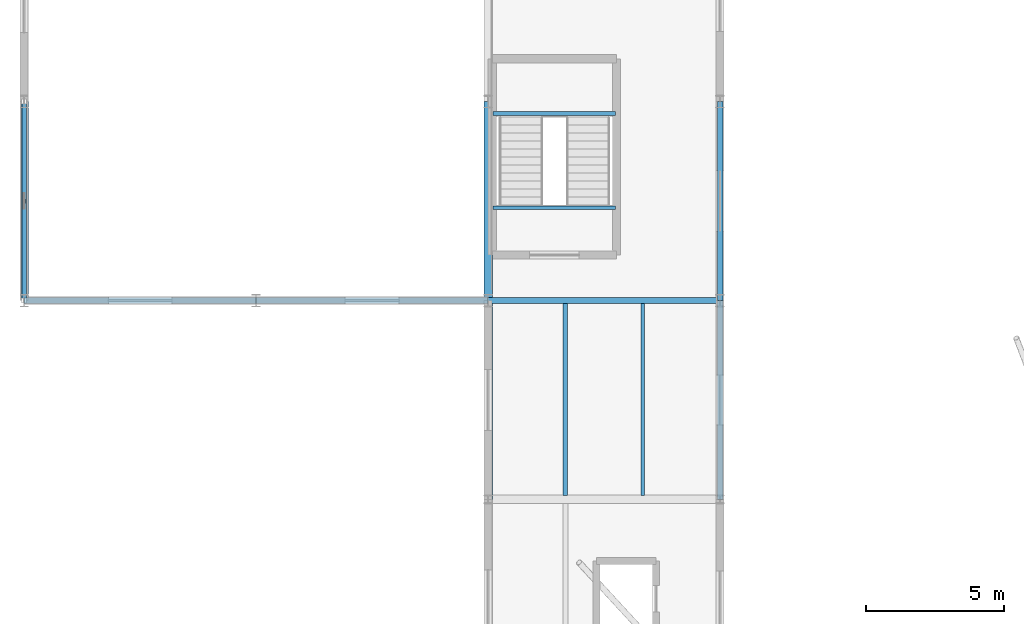
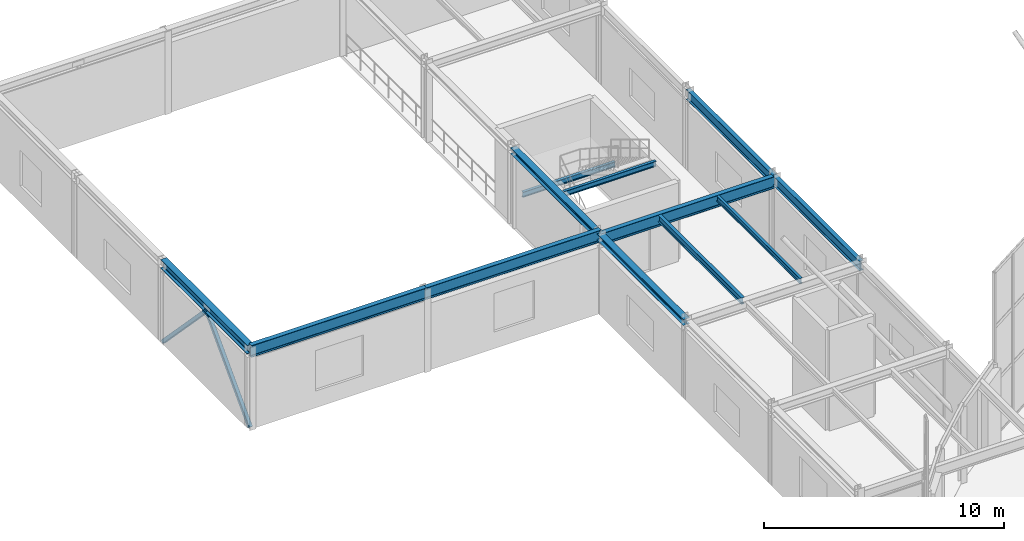
# One storey, part 35 of 109: 12 beams, 2 members.
"""IFC4 building model written with IfcOpenShell, lengths in metres."""

from ifc_helpers import new_model, si_unit, derived_unit, direction, frame, origin, origin_2d, place, context, subcontext, project, spatial, hollow_rectangle, i_section, extrude, material, material_profile, profile_set, type_object, element, save


model = new_model("IFC4")

# Units and contexts
model_context = context("Model", 3, precision=1e-05, world=origin(), true_north=direction((0.0, 1.0)))
body_context = subcontext(model_context, "Body", "Model", "MODEL_VIEW")
ifc_project = project(units=[si_unit("LENGTHUNIT", "METRE"), si_unit("AREAUNIT", "SQUARE_METRE"), si_unit("VOLUMEUNIT", "CUBIC_METRE"), si_unit("PLANEANGLEUNIT", "RADIAN"), si_unit("MASSUNIT", "GRAM", prefix="KILO"), derived_unit("THERMALTRANSMITTANCEUNIT", [(si_unit("MASSUNIT", "GRAM", prefix="KILO"), 1), (si_unit("TIMEUNIT", "SECOND"), -3), (si_unit("THERMODYNAMICTEMPERATUREUNIT", "KELVIN"), -1)])], contexts=[model_context])

# Site, building, storey
site_placement = place(None, origin())
site = spatial("IfcSite", under=ifc_project, at=site_placement, CompositionType="ELEMENT")
building_placement = place(site_placement, origin())
building = spatial("IfcBuilding", under=site, at=building_placement, Name="Kharveza Railside Sports Centre", CompositionType="ELEMENT")
storey_placement = place(building_placement, frame((0.0, 0.0, 4.5)))
storey = spatial("IfcBuildingStorey", under=building, at=storey_placement, Name="L01", CompositionType="ELEMENT", Elevation=4.5)

# Beams
ifc_material = material(Name="Steel S355J2", Category="steel")
ifc_material_profile_1 = material_profile(ifc_material, i_section(OverallWidth=0.219970703125, OverallDepth=0.60009765625, WebThickness=0.011962890625, FlangeThickness=0.01904296875, FilletRadius=0.02392578125, at=origin_2d()), Name="IPE 600")
ifc_profile_set_1 = profile_set([ifc_material_profile_1], Name="Steel S355J2")
beam_type_1 = type_object("IfcBeamType", Name="BM-G01", PredefinedType="T_BEAM", material=ifc_profile_set_1)
beam_1_placement = place(storey_placement, frame((0.0, 86.39990234375, 3.89990234375), z_axis=(1.0, 0.0, 0.0), x_axis=(0.0, 1.0, 0.0)))
element("IfcBeam", 1, at=beam_1_placement, inside=storey, type_object=beam_type_1, Name="BM-EW-L01-B01-X0-Y864", PredefinedType="T_BEAM", context=body_context, shape_type="SweptSolid", body=[
    extrude(i_section(OverallWidth=0.219970703125, OverallDepth=0.60009765625, WebThickness=0.011962890625, FlangeThickness=0.01904296875, FilletRadius=0.02392578125, at=origin_2d()), origin(), (0.0, 0.0, 1.0), 8.39990234375),
])
beam_2_placement = place(storey_placement, frame((8.39990234375, 86.39990234375, 3.89990234375), z_axis=(1.0, 0.0, 0.0), x_axis=(0.0, 1.0, 0.0)))
element("IfcBeam", 2, at=beam_2_placement, inside=storey, type_object=beam_type_1, Name="BM-EW-L01-B01-X84-Y864", PredefinedType="T_BEAM", context=body_context, shape_type="SweptSolid", body=[
    extrude(i_section(OverallWidth=0.219970703125, OverallDepth=0.60009765625, WebThickness=0.011962890625, FlangeThickness=0.01904296875, FilletRadius=0.02392578125, at=origin_2d()), origin(), (0.0, 0.0, 1.0), 8.400146484375),
])
beam_3_placement = place(storey_placement, frame((16.800048828125, 86.39990234375, 3.699951171875), z_axis=(1.0, 0.0, 0.0), x_axis=(0.0, 1.0, 0.0)))
element("IfcBeam", 3, at=beam_3_placement, inside=storey, type_object=beam_type_1, Name="BM-EW-L01-B01-X168-Y864", PredefinedType="T_BEAM", context=body_context, shape_type="SweptSolid", body=[
    extrude(i_section(OverallWidth=0.219970703125, OverallDepth=0.60009765625, WebThickness=0.011962890625, FlangeThickness=0.01904296875, FilletRadius=0.02392578125, at=origin_2d()), origin(), (0.0, 0.0, 1.0), 8.39990234375),
])
ifc_material_profile_2 = material_profile(ifc_material, i_section(OverallWidth=0.199951171875, OverallDepth=0.5, WebThickness=0.01025390625, FlangeThickness=0.01611328125, FilletRadius=0.02099609375, at=origin_2d()), Name="IPE 500")
ifc_profile_set_2 = profile_set([ifc_material_profile_2], Name="Steel S355J2")
beam_type_2 = type_object("IfcBeamType", Name="BM-G03", PredefinedType="T_BEAM", material=ifc_profile_set_2)
beam_4_placement = place(storey_placement, frame((25.199951171875, 79.199951171875, 3.75), z_axis=(0.0, 1.0, 0.0), x_axis=(-1.0, 0.0, 0.0)))
element("IfcBeam", 4, at=beam_4_placement, inside=storey, type_object=beam_type_2, Name="BM-NS-L01-B03-X252-Y792", PredefinedType="T_BEAM", context=body_context, shape_type="SweptSolid", body=[
    extrude(i_section(OverallWidth=0.199951171875, OverallDepth=0.5, WebThickness=0.01025390625, FlangeThickness=0.01611328125, FilletRadius=0.02099609375, at=origin_2d()), origin(), (0.0, 0.0, 1.0), 7.199951171875),
])
beam_5_placement = place(storey_placement, frame((25.199951171875, 86.39990234375, 3.75), z_axis=(0.0, 1.0, 0.0), x_axis=(-1.0, 0.0, 0.0)))
element("IfcBeam", 5, at=beam_5_placement, inside=storey, type_object=beam_type_2, Name="BM-NS-L01-B03-X252-Y864", PredefinedType="T_BEAM", context=body_context, shape_type="SweptSolid", body=[
    extrude(i_section(OverallWidth=0.199951171875, OverallDepth=0.5, WebThickness=0.01025390625, FlangeThickness=0.01611328125, FilletRadius=0.02099609375, at=origin_2d()), origin(), (0.0, 0.0, 1.0), 7.2001953125),
])
ifc_material_profile_3 = material_profile(ifc_material, i_section(OverallWidth=0.159912109375, OverallDepth=0.330078125, WebThickness=0.007568359375, FlangeThickness=0.011474609375, FilletRadius=0.01806640625, at=origin_2d()), Name="IPE 330")
ifc_profile_set_3 = profile_set([ifc_material_profile_3], Name="Steel S355J2")
beam_type_3 = type_object("IfcBeamType", Name="BM-S03", PredefinedType="BEAM", material=ifc_profile_set_3)
beam_6_placement = place(storey_placement, frame((19.60009765625, 79.346923828125, 3.8349609375), z_axis=(0.0, 1.0, 0.0), x_axis=(-1.0, 0.0, 0.0)))
element("IfcBeam", 6, at=beam_6_placement, inside=storey, type_object=beam_type_3, Name="BM-SEC-L01-B11-X196-Y792", PredefinedType="BEAM", context=body_context, shape_type="SweptSolid", body=[
    extrude(i_section(OverallWidth=0.159912109375, OverallDepth=0.330078125, WebThickness=0.007568359375, FlangeThickness=0.011474609375, FilletRadius=0.01806640625, at=origin_2d()), origin(), (0.0, 0.0, 1.0), 6.946044921875),
])
ifc_material_profile_4 = material_profile(ifc_material, i_section(OverallWidth=0.135009765625, OverallDepth=0.27001953125, WebThickness=0.006591796875, FlangeThickness=0.01025390625, FilletRadius=0.014892578125, at=origin_2d()), Name="IPE 270")
ifc_profile_set_4 = profile_set([ifc_material_profile_4], Name="Steel S355J2")
beam_type_4 = type_object("IfcBeamType", Name="BM-S05", PredefinedType="BEAM", material=ifc_profile_set_4)
beam_7_placement = place(storey_placement, frame((22.39990234375, 79.346923828125, 3.864990234375), z_axis=(0.0, 1.0, 0.0), x_axis=(-1.0, 0.0, 0.0)))
element("IfcBeam", 7, at=beam_7_placement, inside=storey, type_object=beam_type_4, Name="BM-SEC-L01-B13-X224-Y792", PredefinedType="BEAM", context=body_context, shape_type="SweptSolid", body=[
    extrude(i_section(OverallWidth=0.135009765625, OverallDepth=0.27001953125, WebThickness=0.006591796875, FlangeThickness=0.01025390625, FilletRadius=0.014892578125, at=origin_2d()), origin(), (0.0, 0.0, 1.0), 6.946044921875),
])
for number, where, z_axis, x_axis, name in (
    (8, (16.97998046875, 93.169921875, 1.780029296875), (1.0, 0.0, 0.0), (0.0, 1.0, 0.0), "BM-HLND-ST6-L01"),
    (9, (16.97998046875, 89.760009765625, 3.8798828125), (1.0, 0.0, 0.0), (0.0, 1.0, 0.0), "BM-STLND-ST6-L02"),
):
    element("IfcBeam", number, at=place(storey_placement, frame(where, z_axis=z_axis, x_axis=x_axis)), inside=storey, type_object=beam_type_4, Name=name, PredefinedType="BEAM", context=body_context, shape_type="SweptSolid", body=[
        extrude(i_section(OverallWidth=0.135009765625, OverallDepth=0.27001953125, WebThickness=0.006591796875, FlangeThickness=0.01025390625, FilletRadius=0.014892578125, at=origin_2d()), origin(), (0.0, 0.0, 1.0), 4.43994140625),
    ])
ifc_material_profile_5 = material_profile(ifc_material, i_section(OverallWidth=0.300048828125, OverallDepth=0.31005859375, WebThickness=0.009033203125, FlangeThickness=0.015380859375, FilletRadius=0.027099609375, at=origin_2d()), Name="HEA 320")
ifc_profile_set_5 = profile_set([ifc_material_profile_5], Name="Steel S355J2")
beam_type_5 = type_object("IfcBeamType", Name="BM-S06", PredefinedType="BEAM", material=ifc_profile_set_5)
beam_8_placement = place(storey_placement, frame((16.800048828125, 79.199951171875, 3.844970703125), z_axis=(0.0, 1.0, 0.0), x_axis=(-1.0, 0.0, 0.0)))
element("IfcBeam", 10, at=beam_8_placement, inside=storey, type_object=beam_type_5, Name="BM-NS-L01-B14-X168-Y792", PredefinedType="BEAM", context=body_context, shape_type="SweptSolid", body=[
    extrude(i_section(OverallWidth=0.300048828125, OverallDepth=0.31005859375, WebThickness=0.009033203125, FlangeThickness=0.015380859375, FilletRadius=0.027099609375, at=origin_2d()), origin(), (0.0, 0.0, 1.0), 7.199951171875),
])
beam_9_placement = place(storey_placement, frame((16.800048828125, 86.39990234375, 3.844970703125), z_axis=(0.0, 1.0, 0.0), x_axis=(-1.0, 0.0, 0.0)))
element("IfcBeam", 11, at=beam_9_placement, inside=storey, type_object=beam_type_5, Name="BM-NS-L01-B14-X168-Y864", PredefinedType="BEAM", context=body_context, shape_type="SweptSolid", body=[
    extrude(i_section(OverallWidth=0.300048828125, OverallDepth=0.31005859375, WebThickness=0.009033203125, FlangeThickness=0.015380859375, FilletRadius=0.027099609375, at=origin_2d()), origin(), (0.0, 0.0, 1.0), 7.2001953125),
])
ifc_material_profile_6 = material_profile(ifc_material, i_section(OverallWidth=0.300048828125, OverallDepth=0.43994140625, WebThickness=0.011474609375, FlangeThickness=0.02099609375, FilletRadius=0.027099609375, at=origin_2d()), Name="HEA 450")
ifc_profile_set_6 = profile_set([ifc_material_profile_6], Name="Steel S355J2")
beam_type_6 = type_object("IfcBeamType", Name="BM-SP01", PredefinedType="SPANDREL", material=ifc_profile_set_6)
beam_10_placement = place(storey_placement, frame((0.0, 86.39990234375, 3.97998046875), z_axis=(0.0, 1.0, 0.0), x_axis=(-1.0, 0.0, 0.0)))
element("IfcBeam", 12, at=beam_10_placement, inside=storey, type_object=beam_type_6, Name="BM-NS-L01-B15-X0-Y864", PredefinedType="SPANDREL", context=body_context, shape_type="SweptSolid", body=[
    extrude(i_section(OverallWidth=0.300048828125, OverallDepth=0.43994140625, WebThickness=0.011474609375, FlangeThickness=0.02099609375, FilletRadius=0.027099609375, at=origin_2d()), origin(), (0.0, 0.0, 1.0), 7.2001953125),
])

# Members
ifc_material_profile_7 = material_profile(ifc_material, hollow_rectangle(XDim=0.179931640625, YDim=0.179931640625, WallThickness=0.010009765625, InnerFilletRadius=0.010009765625, OuterFilletRadius=0.02001953125, at=origin_2d()), Name="SHS 180x180x10.0")
ifc_profile_set_7 = profile_set([ifc_material_profile_7], Name="Steel S355J2")
member_type = type_object("IfcMemberType", Name="MB-BR01", PredefinedType="BRACE", material=ifc_profile_set_7)
for number, where, z_axis, x_axis, name in (
    (13, (0.0, 86.39990234375, 0.0), (0.0, 0.692541604294, 0.721377935844), (-1.0, 0.0, 0.0), "MB-CHEV-NS-024A"),
    (14, (0.0, 93.60009765625, 0.0), (0.0, -0.692541604294, 0.721377935844), (1.0, 0.0, 0.0), "MB-CHEV-NS-024B"),
):
    element("IfcMember", number, at=place(storey_placement, frame(where, z_axis=z_axis, x_axis=x_axis)), inside=storey, type_object=member_type, Name=name, PredefinedType="BRACE", context=body_context, shape_type="SweptSolid", body=[
        extrude(hollow_rectangle(XDim=0.179931640625, YDim=0.179931640625, WallThickness=0.010009765625, InnerFilletRadius=0.010009765625, OuterFilletRadius=0.02001953125, at=origin_2d()), origin(), (0.0, 0.0, 1.0), 5.198486328125),
    ])

save(model, "model.ifc")
